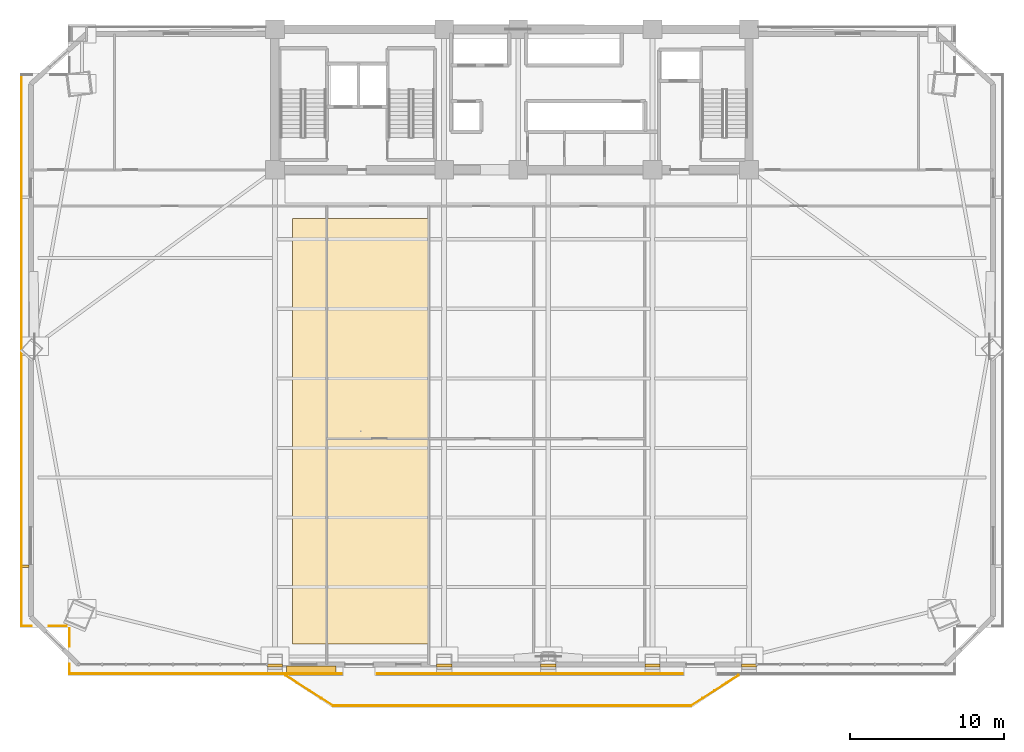
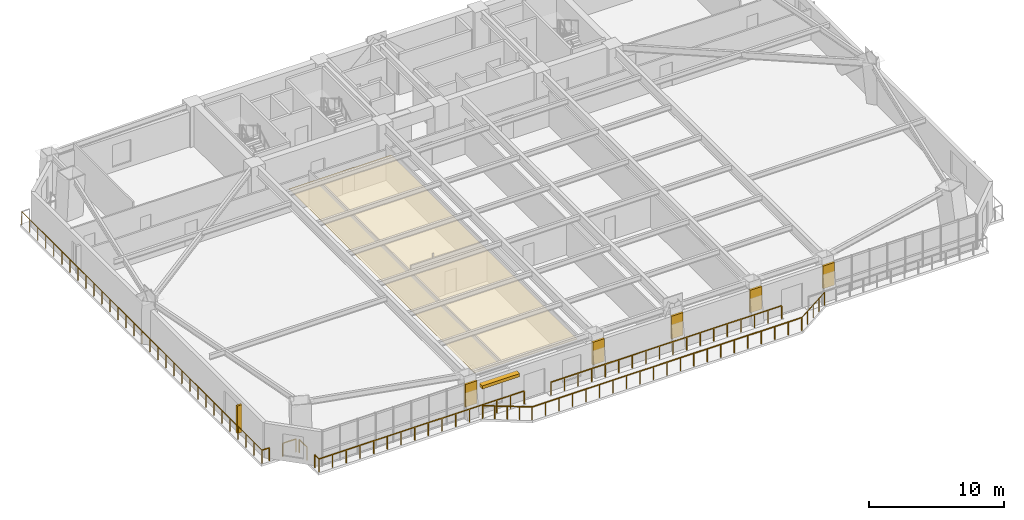
# One storey, part 12 of 16: 10 railings, 6 coverings, 2 shading devices.
"""IFC4 building model written with IfcOpenShell, lengths in metres."""

from ifc_helpers import new_model, si_unit, direction, frame, origin, origin_2d, place, context, subcontext, project, spatial, polyline, rectangle, outline, extrude, source, transform, mapped, material, layer, layer_set, type_object, element, save


model = new_model("IFC4")

# Units and contexts
model_context = context("Model", 3, precision=1e-05, world=origin(), true_north=direction((0.0, 1.0)))
body_context = subcontext(model_context, "Body", "Model", "MODEL_VIEW")
ifc_project = project(units=[si_unit("LENGTHUNIT", "METRE"), si_unit("AREAUNIT", "SQUARE_METRE"), si_unit("VOLUMEUNIT", "CUBIC_METRE"), si_unit("PLANEANGLEUNIT", "RADIAN"), si_unit("MASSUNIT", "GRAM", prefix="KILO")], contexts=[model_context])

# Site, building, storey
site_placement = place(None, origin())
site = spatial("IfcSite", under=ifc_project, at=site_placement, CompositionType="ELEMENT")
building_placement = place(site_placement, origin())
building = spatial("IfcBuilding", under=site, at=building_placement, Name="Giltprow Tower", CompositionType="ELEMENT")
storey_placement = place(building_placement, frame((0.0, 0.0, 83.5)))
storey = spatial("IfcBuildingStorey", under=building, at=storey_placement, Name="L20", CompositionType="ELEMENT", Elevation=83.5)

# Coverings
ifc_material_1 = material(Name="Acoustic mineral fibre", Category="gypsum")
ifc_layer_1 = layer(ifc_material_1, 0.030029296875, Name="Acoustic mineral fibre")
ifc_layer_set_1 = layer_set([ifc_layer_1], Name="Acoustic mineral fibre")
covering_type_1 = type_object("IfcCoveringType", Name="COV-CLG-ACOUSTIC", PredefinedType="CEILING", material=ifc_layer_set_1)
covering_1_placement = place(storey_placement, frame((0.0, 0.0, 2.719970703125)))
element("IfcCovering", 1, at=covering_1_placement, inside=storey, type_object=covering_type_1, Name="L20 Office Acoustic Ceiling", PredefinedType="CEILING", context=body_context, shape_type="SweptSolid", body=[
    extrude(outline(polyline([(21.0, 6.736083984375), (29.800048828125, 6.736083984375), (29.800048828125, 34.300048828125), (21.0, 34.300048828125), (21.0, 6.736083984375)])), origin(), (0.0, 0.0, 1.0), 0.030029296875),
])
ifc_material_2 = material(Name="Anodized bronze", Category="metal")
ifc_layer_2 = layer(ifc_material_2, 0.0400390625, Name="Anodized bronze")
ifc_layer_set_2 = layer_set([ifc_layer_2], Name="Anodized bronze")
covering_type_2 = type_object("IfcCoveringType", Name="COV-SOFFIT-BRONZE", PredefinedType="CLADDING", material=ifc_layer_set_2)
covering_2_placement = place(storey_placement, frame((0.0, 0.0, 1.10009765625)))
element("IfcCovering", 2, at=covering_2_placement, inside=storey, type_object=covering_type_2, Name="L20 Setback Pier Closure Cladding S-1", PredefinedType="CLADDING", context=body_context, shape_type="SweptSolid", body=[
    extrude(outline(polyline([(19.35009765625, 5.2490234375), (20.35009765625, 5.2490234375), (20.35009765625, 5.428955078125), (19.35009765625, 5.428955078125), (19.35009765625, 5.2490234375)])), origin(), (0.0, 0.0, 1.0), 2.059814453125),
])
covering_3_placement = place(storey_placement, frame((0.0, 0.0, 1.10009765625)))
element("IfcCovering", 3, at=covering_3_placement, inside=storey, type_object=covering_type_2, Name="L20 Setback Pier Closure Cladding S-2", PredefinedType="CLADDING", context=body_context, shape_type="SweptSolid", body=[
    extrude(outline(polyline([(30.300048828125, 5.2490234375), (31.300048828125, 5.2490234375), (31.300048828125, 5.428955078125), (30.300048828125, 5.428955078125), (30.300048828125, 5.2490234375)])), origin(), (0.0, 0.0, 1.0), 2.059814453125),
])
covering_4_placement = place(storey_placement, frame((0.0, 0.0, 1.10009765625)))
element("IfcCovering", 4, at=covering_4_placement, inside=storey, type_object=covering_type_2, Name="L20 Setback Pier Closure Cladding S-3", PredefinedType="CLADDING", context=body_context, shape_type="SweptSolid", body=[
    extrude(outline(polyline([(37.050048828125, 5.2490234375), (38.050048828125, 5.2490234375), (38.050048828125, 5.428955078125), (37.050048828125, 5.428955078125), (37.050048828125, 5.2490234375)])), origin(), (0.0, 0.0, 1.0), 2.059814453125),
])
covering_5_placement = place(storey_placement, frame((0.0, 0.0, 1.10009765625)))
element("IfcCovering", 5, at=covering_5_placement, inside=storey, type_object=covering_type_2, Name="L20 Setback Pier Closure Cladding S-4", PredefinedType="CLADDING", context=body_context, shape_type="SweptSolid", body=[
    extrude(outline(polyline([(43.800048828125, 5.2490234375), (44.800048828125, 5.2490234375), (44.800048828125, 5.428955078125), (43.800048828125, 5.428955078125), (43.800048828125, 5.2490234375)])), origin(), (0.0, 0.0, 1.0), 2.059814453125),
])
covering_6_placement = place(storey_placement, frame((0.0, 0.0, 1.10009765625)))
element("IfcCovering", 6, at=covering_6_placement, inside=storey, type_object=covering_type_2, Name="L20 Setback Pier Closure Cladding S-5", PredefinedType="CLADDING", context=body_context, shape_type="SweptSolid", body=[
    extrude(outline(polyline([(50.050048828125, 5.2490234375), (51.050048828125, 5.2490234375), (51.050048828125, 5.428955078125), (50.050048828125, 5.428955078125), (50.050048828125, 5.2490234375)])), origin(), (0.0, 0.0, 1.0), 2.059814453125),
])

# Railings
railing_type = type_object("IfcRailingType", Name="RAIL-BALC-GUARD-1200", PredefinedType="BALUSTRADE", material=ifc_material_2)
railing_1_placement = place(storey_placement, frame((20.52001953125, 4.708984375, 0.0)))
element("IfcRailing", 7, at=railing_1_placement, inside=storey, type_object=railing_type, Name="L20 Waterfront Balcony Balustrade Seg 1", PredefinedType="BALUSTRADE", context=body_context, shape_type="SweptSolid", body=[
    extrude(rectangle(XDim=0.048095703125, YDim=0.048095703125, at=origin_2d()), frame((0.0, 0.0, 1.17578125), z_axis=(0.84277487735, -0.538266203757, 0.0), x_axis=(0.538266203757, 0.84277487735, 0.0)), (0.0, 0.0, 1.0), 3.678466796875),
    extrude(rectangle(XDim=0.0419921875, YDim=0.0419921875, at=origin_2d()), origin(), (0.0, 0.0, 1.0), 1.15185546875),
    extrude(rectangle(XDim=0.0419921875, YDim=0.0419921875, at=origin_2d()), frame((0.77490234375, -0.4951171875, 0.0)), (0.0, 0.0, 1.0), 1.15185546875),
    extrude(rectangle(XDim=0.0419921875, YDim=0.0419921875, at=origin_2d()), frame((1.550048828125, -0.989990234375, 0.0)), (0.0, 0.0, 1.0), 1.15185546875),
    extrude(rectangle(XDim=0.0419921875, YDim=0.0419921875, at=origin_2d()), frame((2.3251953125, -1.48486328125, 0.0)), (0.0, 0.0, 1.0), 1.15185546875),
    extrude(rectangle(XDim=0.0419921875, YDim=0.0419921875, at=origin_2d()), frame((3.10009765625, -1.97998046875, 0.0)), (0.0, 0.0, 1.0), 1.15185546875),
])
railing_2_placement = place(storey_placement, frame((23.6201171875, 2.72900390625, 0.0)))
element("IfcRailing", 8, at=railing_2_placement, inside=storey, type_object=railing_type, Name="L20 Waterfront Balcony Balustrade Seg 2", PredefinedType="BALUSTRADE", context=body_context, shape_type="SweptSolid", body=[
    extrude(rectangle(XDim=0.048095703125, YDim=0.048095703125, at=origin_2d()), frame((0.0, 0.0, 1.17578125), z_axis=(1.0, 0.0, 0.0), x_axis=(0.0, 1.0, 0.0)), (0.0, 0.0, 1.0), 23.159912109375),
    extrude(rectangle(XDim=0.0419921875, YDim=0.0419921875, at=origin_2d()), origin(), (0.0, 0.0, 1.0), 1.15185546875),
    extrude(rectangle(XDim=0.0419921875, YDim=0.0419921875, at=origin_2d()), frame((1.157958984375, 0.0, 0.0)), (0.0, 0.0, 1.0), 1.15185546875),
    extrude(rectangle(XDim=0.0419921875, YDim=0.0419921875, at=origin_2d()), frame((2.31591796875, 0.0, 0.0)), (0.0, 0.0, 1.0), 1.15185546875),
    extrude(rectangle(XDim=0.0419921875, YDim=0.0419921875, at=origin_2d()), frame((3.473876953125, 0.0, 0.0)), (0.0, 0.0, 1.0), 1.15185546875),
    extrude(rectangle(XDim=0.0419921875, YDim=0.0419921875, at=origin_2d()), frame((4.632080078125, 0.0, 0.0)), (0.0, 0.0, 1.0), 1.15185546875),
    extrude(rectangle(XDim=0.0419921875, YDim=0.0419921875, at=origin_2d()), frame((5.7900390625, 0.0, 0.0)), (0.0, 0.0, 1.0), 1.15185546875),
    extrude(rectangle(XDim=0.0419921875, YDim=0.0419921875, at=origin_2d()), frame((6.947998046875, 0.0, 0.0)), (0.0, 0.0, 1.0), 1.15185546875),
    extrude(rectangle(XDim=0.0419921875, YDim=0.0419921875, at=origin_2d()), frame((8.10595703125, 0.0, 0.0)), (0.0, 0.0, 1.0), 1.15185546875),
    extrude(rectangle(XDim=0.0419921875, YDim=0.0419921875, at=origin_2d()), frame((9.263916015625, 0.0, 0.0)), (0.0, 0.0, 1.0), 1.15185546875),
    extrude(rectangle(XDim=0.0419921875, YDim=0.0419921875, at=origin_2d()), frame((10.421875, 0.0, 0.0)), (0.0, 0.0, 1.0), 1.15185546875),
    extrude(rectangle(XDim=0.0419921875, YDim=0.0419921875, at=origin_2d()), frame((11.580078125, 0.0, 0.0)), (0.0, 0.0, 1.0), 1.15185546875),
    extrude(rectangle(XDim=0.0419921875, YDim=0.0419921875, at=origin_2d()), frame((12.738037109375, 0.0, 0.0)), (0.0, 0.0, 1.0), 1.15185546875),
    extrude(rectangle(XDim=0.0419921875, YDim=0.0419921875, at=origin_2d()), frame((13.89599609375, 0.0, 0.0)), (0.0, 0.0, 1.0), 1.15185546875),
    extrude(rectangle(XDim=0.0419921875, YDim=0.0419921875, at=origin_2d()), frame((15.053955078125, 0.0, 0.0)), (0.0, 0.0, 1.0), 1.15185546875),
    extrude(rectangle(XDim=0.0419921875, YDim=0.0419921875, at=origin_2d()), frame((16.2119140625, 0.0, 0.0)), (0.0, 0.0, 1.0), 1.15185546875),
    extrude(rectangle(XDim=0.0419921875, YDim=0.0419921875, at=origin_2d()), frame((17.369873046875, 0.0, 0.0)), (0.0, 0.0, 1.0), 1.15185546875),
    extrude(rectangle(XDim=0.0419921875, YDim=0.0419921875, at=origin_2d()), frame((18.52783203125, 0.0, 0.0)), (0.0, 0.0, 1.0), 1.15185546875),
    extrude(rectangle(XDim=0.0419921875, YDim=0.0419921875, at=origin_2d()), frame((19.68603515625, 0.0, 0.0)), (0.0, 0.0, 1.0), 1.15185546875),
    extrude(rectangle(XDim=0.0419921875, YDim=0.0419921875, at=origin_2d()), frame((20.843994140625, 0.0, 0.0)), (0.0, 0.0, 1.0), 1.15185546875),
    extrude(rectangle(XDim=0.0419921875, YDim=0.0419921875, at=origin_2d()), frame((22.001953125, 0.0, 0.0)), (0.0, 0.0, 1.0), 1.15185546875),
    extrude(rectangle(XDim=0.0419921875, YDim=0.0419921875, at=origin_2d()), frame((23.159912109375, 0.0, 0.0)), (0.0, 0.0, 1.0), 1.15185546875),
])
railing_3_placement = place(storey_placement, frame((46.780029296875, 2.72900390625, 0.0)))
element("IfcRailing", 9, at=railing_3_placement, inside=storey, type_object=railing_type, Name="L20 Waterfront Balcony Balustrade Seg 3", PredefinedType="BALUSTRADE", context=body_context, shape_type="SweptSolid", body=[
    extrude(rectangle(XDim=0.048095703125, YDim=0.048095703125, at=origin_2d()), frame((0.0, 0.0, 1.17578125), z_axis=(0.842755646126, 0.538296313309, 0.0), x_axis=(-0.538296313309, 0.842755646126, 0.0)), (0.0, 0.0, 1.0), 3.67822265625),
    extrude(rectangle(XDim=0.0419921875, YDim=0.0419921875, at=origin_2d()), origin(), (0.0, 0.0, 1.0), 1.15185546875),
    extrude(rectangle(XDim=0.0419921875, YDim=0.0419921875, at=origin_2d()), frame((0.77490234375, 0.4951171875, 0.0)), (0.0, 0.0, 1.0), 1.15185546875),
    extrude(rectangle(XDim=0.0419921875, YDim=0.0419921875, at=origin_2d()), frame((1.5498046875, 0.989990234375, 0.0)), (0.0, 0.0, 1.0), 1.15185546875),
    extrude(rectangle(XDim=0.0419921875, YDim=0.0419921875, at=origin_2d()), frame((2.324951171875, 1.48486328125, 0.0)), (0.0, 0.0, 1.0), 1.15185546875),
    extrude(rectangle(XDim=0.0419921875, YDim=0.0419921875, at=origin_2d()), frame((3.099853515625, 1.97998046875, 0.0)), (0.0, 0.0, 1.0), 1.15185546875),
])
railing_4_placement = place(storey_placement, frame((6.535888671875, 4.80908203125, 0.0)))
element("IfcRailing", 10, at=railing_4_placement, inside=storey, type_object=railing_type, Name="L20 Corner Apron Edge Balustrade 1", PredefinedType="BALUSTRADE", context=body_context, shape_type="SweptSolid", body=[
    extrude(rectangle(XDim=0.048095703125, YDim=0.048095703125, at=origin_2d()), frame((0.0, 0.0, 1.17578125), z_axis=(0.0, 1.0, 0.0), x_axis=(-1.0, 0.0, 0.0)), (0.0, 0.0, 1.0), 0.619873046875),
    extrude(rectangle(XDim=0.0419921875, YDim=0.0419921875, at=origin_2d()), origin(), (0.0, 0.0, 1.0), 1.15185546875),
    extrude(rectangle(XDim=0.0419921875, YDim=0.0419921875, at=origin_2d()), frame((0.0, 0.619873046875, 0.0)), (0.0, 0.0, 1.0), 1.15185546875),
])
railing_5_placement = place(storey_placement, frame((6.535888671875, 6.589111328125, 0.0)))
element("IfcRailing", 11, at=railing_5_placement, inside=storey, type_object=railing_type, Name="L20 Corner Apron Edge Balustrade 2", PredefinedType="BALUSTRADE", context=body_context, shape_type="SweptSolid", body=[
    extrude(rectangle(XDim=0.048095703125, YDim=0.048095703125, at=origin_2d()), frame((0.0, 0.0, 1.17578125), z_axis=(0.0, 1.0, 0.0), x_axis=(-1.0, 0.0, 0.0)), (0.0, 0.0, 1.0), 1.130859375),
    extrude(rectangle(XDim=0.0419921875, YDim=0.0419921875, at=origin_2d()), origin(), (0.0, 0.0, 1.0), 1.15185546875),
    extrude(rectangle(XDim=0.0419921875, YDim=0.0419921875, at=origin_2d()), frame((0.0, 1.130859375, 0.0)), (0.0, 0.0, 1.0), 1.15185546875),
])
railing_6_placement = place(storey_placement, frame((6.35107421875, 7.905029296875, 0.0)))
element("IfcRailing", 12, at=railing_6_placement, inside=storey, type_object=railing_type, Name="L20 Corner Apron Edge Balustrade 3", PredefinedType="BALUSTRADE", context=body_context, shape_type="SweptSolid", body=[
    extrude(rectangle(XDim=0.048095703125, YDim=0.048095703125, at=origin_2d()), frame((0.0, 0.0, 1.17578125), z_axis=(-1.0, 0.0, 0.0), x_axis=(0.0, -1.0, 0.0)), (0.0, 0.0, 1.0), 1.131103515625),
    extrude(rectangle(XDim=0.0419921875, YDim=0.0419921875, at=origin_2d()), origin(), (0.0, 0.0, 1.0), 1.15185546875),
    extrude(rectangle(XDim=0.0419921875, YDim=0.0419921875, at=origin_2d()), frame((-1.131103515625, 0.0, 0.0)), (0.0, 0.0, 1.0), 1.15185546875),
])
railing_7_placement = place(storey_placement, frame((4.06005859375, 7.905029296875, 0.0)))
element("IfcRailing", 13, at=railing_7_placement, inside=storey, type_object=railing_type, Name="L20 Corner Apron Edge Balustrade 4", PredefinedType="BALUSTRADE", context=body_context, shape_type="SweptSolid", body=[
    extrude(rectangle(XDim=0.048095703125, YDim=0.048095703125, at=origin_2d()), frame((0.0, 0.0, 1.17578125), z_axis=(-1.0, 0.0, 0.0), x_axis=(0.0, -1.0, 0.0)), (0.0, 0.0, 1.0), 0.6201171875),
    extrude(rectangle(XDim=0.0419921875, YDim=0.0419921875, at=origin_2d()), origin(), (0.0, 0.0, 1.0), 1.15185546875),
    extrude(rectangle(XDim=0.0419921875, YDim=0.0419921875, at=origin_2d()), frame((-0.6201171875, 0.0, 0.0)), (0.0, 0.0, 1.0), 1.15185546875),
])
railing_8_placement = place(storey_placement, frame((3.43994140625, 7.905029296875, 0.0)))
element("IfcRailing", 14, at=railing_8_placement, inside=storey, type_object=railing_type, Name="L20 Corner Apron Edge Balustrade 5", PredefinedType="BALUSTRADE", context=body_context, shape_type="SweptSolid", body=[
    extrude(rectangle(XDim=0.048095703125, YDim=0.048095703125, at=origin_2d()), frame((0.0, 0.0, 1.17578125), z_axis=(0.0, 1.0, 0.0), x_axis=(-1.0, 0.0, 0.0)), (0.0, 0.0, 1.0), 35.698974609375),
    extrude(rectangle(XDim=0.0419921875, YDim=0.0419921875, at=origin_2d()), origin(), (0.0, 0.0, 1.0), 1.15185546875),
    extrude(rectangle(XDim=0.0419921875, YDim=0.0419921875, at=origin_2d()), frame((0.0, 1.18994140625, 0.0)), (0.0, 0.0, 1.0), 1.15185546875),
    extrude(rectangle(XDim=0.0419921875, YDim=0.0419921875, at=origin_2d()), frame((0.0, 2.3798828125, 0.0)), (0.0, 0.0, 1.0), 1.15185546875),
    extrude(rectangle(XDim=0.0419921875, YDim=0.0419921875, at=origin_2d()), frame((0.0, 3.56982421875, 0.0)), (0.0, 0.0, 1.0), 1.15185546875),
    extrude(rectangle(XDim=0.0419921875, YDim=0.0419921875, at=origin_2d()), frame((0.0, 4.759765625, 0.0)), (0.0, 0.0, 1.0), 1.15185546875),
    extrude(rectangle(XDim=0.0419921875, YDim=0.0419921875, at=origin_2d()), frame((0.0, 5.94970703125, 0.0)), (0.0, 0.0, 1.0), 1.15185546875),
    extrude(rectangle(XDim=0.0419921875, YDim=0.0419921875, at=origin_2d()), frame((0.0, 7.139892578125, 0.0)), (0.0, 0.0, 1.0), 1.15185546875),
    extrude(rectangle(XDim=0.0419921875, YDim=0.0419921875, at=origin_2d()), frame((0.0, 8.329833984375, 0.0)), (0.0, 0.0, 1.0), 1.15185546875),
    extrude(rectangle(XDim=0.0419921875, YDim=0.0419921875, at=origin_2d()), frame((0.0, 9.519775390625, 0.0)), (0.0, 0.0, 1.0), 1.15185546875),
    extrude(rectangle(XDim=0.0419921875, YDim=0.0419921875, at=origin_2d()), frame((0.0, 10.709716796875, 0.0)), (0.0, 0.0, 1.0), 1.15185546875),
    extrude(rectangle(XDim=0.0419921875, YDim=0.0419921875, at=origin_2d()), frame((0.0, 11.899658203125, 0.0)), (0.0, 0.0, 1.0), 1.15185546875),
    extrude(rectangle(XDim=0.0419921875, YDim=0.0419921875, at=origin_2d()), frame((0.0, 13.089599609375, 0.0)), (0.0, 0.0, 1.0), 1.15185546875),
    extrude(rectangle(XDim=0.0419921875, YDim=0.0419921875, at=origin_2d()), frame((0.0, 14.279541015625, 0.0)), (0.0, 0.0, 1.0), 1.15185546875),
    extrude(rectangle(XDim=0.0419921875, YDim=0.0419921875, at=origin_2d()), frame((0.0, 15.469482421875, 0.0)), (0.0, 0.0, 1.0), 1.15185546875),
    extrude(rectangle(XDim=0.0419921875, YDim=0.0419921875, at=origin_2d()), frame((0.0, 16.659423828125, 0.0)), (0.0, 0.0, 1.0), 1.15185546875),
    extrude(rectangle(XDim=0.0419921875, YDim=0.0419921875, at=origin_2d()), frame((0.0, 17.849609375, 0.0)), (0.0, 0.0, 1.0), 1.15185546875),
    extrude(rectangle(XDim=0.0419921875, YDim=0.0419921875, at=origin_2d()), frame((0.0, 19.03955078125, 0.0)), (0.0, 0.0, 1.0), 1.15185546875),
    extrude(rectangle(XDim=0.0419921875, YDim=0.0419921875, at=origin_2d()), frame((0.0, 20.2294921875, 0.0)), (0.0, 0.0, 1.0), 1.15185546875),
    extrude(rectangle(XDim=0.0419921875, YDim=0.0419921875, at=origin_2d()), frame((0.0, 21.41943359375, 0.0)), (0.0, 0.0, 1.0), 1.15185546875),
    extrude(rectangle(XDim=0.0419921875, YDim=0.0419921875, at=origin_2d()), frame((0.0, 22.609375, 0.0)), (0.0, 0.0, 1.0), 1.15185546875),
    extrude(rectangle(XDim=0.0419921875, YDim=0.0419921875, at=origin_2d()), frame((0.0, 23.79931640625, 0.0)), (0.0, 0.0, 1.0), 1.15185546875),
    extrude(rectangle(XDim=0.0419921875, YDim=0.0419921875, at=origin_2d()), frame((0.0, 24.9892578125, 0.0)), (0.0, 0.0, 1.0), 1.15185546875),
    extrude(rectangle(XDim=0.0419921875, YDim=0.0419921875, at=origin_2d()), frame((0.0, 26.17919921875, 0.0)), (0.0, 0.0, 1.0), 1.15185546875),
    extrude(rectangle(XDim=0.0419921875, YDim=0.0419921875, at=origin_2d()), frame((0.0, 27.369140625, 0.0)), (0.0, 0.0, 1.0), 1.15185546875),
    extrude(rectangle(XDim=0.0419921875, YDim=0.0419921875, at=origin_2d()), frame((0.0, 28.55908203125, 0.0)), (0.0, 0.0, 1.0), 1.15185546875),
    extrude(rectangle(XDim=0.0419921875, YDim=0.0419921875, at=origin_2d()), frame((0.0, 29.7490234375, 0.0)), (0.0, 0.0, 1.0), 1.15185546875),
    extrude(rectangle(XDim=0.0419921875, YDim=0.0419921875, at=origin_2d()), frame((0.0, 30.939208984375, 0.0)), (0.0, 0.0, 1.0), 1.15185546875),
    extrude(rectangle(XDim=0.0419921875, YDim=0.0419921875, at=origin_2d()), frame((0.0, 32.129150390625, 0.0)), (0.0, 0.0, 1.0), 1.15185546875),
    extrude(rectangle(XDim=0.0419921875, YDim=0.0419921875, at=origin_2d()), frame((0.0, 33.319091796875, 0.0)), (0.0, 0.0, 1.0), 1.15185546875),
    extrude(rectangle(XDim=0.0419921875, YDim=0.0419921875, at=origin_2d()), frame((0.0, 34.509033203125, 0.0)), (0.0, 0.0, 1.0), 1.15185546875),
    extrude(rectangle(XDim=0.0419921875, YDim=0.0419921875, at=origin_2d()), frame((0.0, 35.698974609375, 0.0)), (0.0, 0.0, 1.0), 1.15185546875),
])
railing_9_placement = place(storey_placement, frame((46.25, 4.80908203125, 0.0)))
element("IfcRailing", 15, at=railing_9_placement, inside=storey, type_object=railing_type, Name="L20 Corner Apron Edge Balustrade 22", PredefinedType="BALUSTRADE", context=body_context, shape_type="SweptSolid", body=[
    extrude(rectangle(XDim=0.048095703125, YDim=0.048095703125, at=origin_2d()), frame((0.0, 0.0, 1.17578125), z_axis=(-1.0, 0.0, 0.0), x_axis=(0.0, -1.0, 0.0)), (0.0, 0.0, 1.0), 19.800048828125),
    extrude(rectangle(XDim=0.0419921875, YDim=0.0419921875, at=origin_2d()), origin(), (0.0, 0.0, 1.0), 1.15185546875),
    extrude(rectangle(XDim=0.0419921875, YDim=0.0419921875, at=origin_2d()), frame((-1.164794921875, 0.0, 0.0)), (0.0, 0.0, 1.0), 1.15185546875),
    extrude(rectangle(XDim=0.0419921875, YDim=0.0419921875, at=origin_2d()), frame((-2.329345703125, 0.0, 0.0)), (0.0, 0.0, 1.0), 1.15185546875),
    extrude(rectangle(XDim=0.0419921875, YDim=0.0419921875, at=origin_2d()), frame((-3.494140625, 0.0, 0.0)), (0.0, 0.0, 1.0), 1.15185546875),
    extrude(rectangle(XDim=0.0419921875, YDim=0.0419921875, at=origin_2d()), frame((-4.658935546875, 0.0, 0.0)), (0.0, 0.0, 1.0), 1.15185546875),
    extrude(rectangle(XDim=0.0419921875, YDim=0.0419921875, at=origin_2d()), frame((-5.823486328125, 0.0, 0.0)), (0.0, 0.0, 1.0), 1.15185546875),
    extrude(rectangle(XDim=0.0419921875, YDim=0.0419921875, at=origin_2d()), frame((-6.98828125, 0.0, 0.0)), (0.0, 0.0, 1.0), 1.15185546875),
    extrude(rectangle(XDim=0.0419921875, YDim=0.0419921875, at=origin_2d()), frame((-8.153076171875, 0.0, 0.0)), (0.0, 0.0, 1.0), 1.15185546875),
    extrude(rectangle(XDim=0.0419921875, YDim=0.0419921875, at=origin_2d()), frame((-9.317626953125, 0.0, 0.0)), (0.0, 0.0, 1.0), 1.15185546875),
    extrude(rectangle(XDim=0.0419921875, YDim=0.0419921875, at=origin_2d()), frame((-10.482421875, 0.0, 0.0)), (0.0, 0.0, 1.0), 1.15185546875),
    extrude(rectangle(XDim=0.0419921875, YDim=0.0419921875, at=origin_2d()), frame((-11.64697265625, 0.0, 0.0)), (0.0, 0.0, 1.0), 1.15185546875),
    extrude(rectangle(XDim=0.0419921875, YDim=0.0419921875, at=origin_2d()), frame((-12.811767578125, 0.0, 0.0)), (0.0, 0.0, 1.0), 1.15185546875),
    extrude(rectangle(XDim=0.0419921875, YDim=0.0419921875, at=origin_2d()), frame((-13.9765625, 0.0, 0.0)), (0.0, 0.0, 1.0), 1.15185546875),
    extrude(rectangle(XDim=0.0419921875, YDim=0.0419921875, at=origin_2d()), frame((-15.14111328125, 0.0, 0.0)), (0.0, 0.0, 1.0), 1.15185546875),
    extrude(rectangle(XDim=0.0419921875, YDim=0.0419921875, at=origin_2d()), frame((-16.305908203125, 0.0, 0.0)), (0.0, 0.0, 1.0), 1.15185546875),
    extrude(rectangle(XDim=0.0419921875, YDim=0.0419921875, at=origin_2d()), frame((-17.470703125, 0.0, 0.0)), (0.0, 0.0, 1.0), 1.15185546875),
    extrude(rectangle(XDim=0.0419921875, YDim=0.0419921875, at=origin_2d()), frame((-18.63525390625, 0.0, 0.0)), (0.0, 0.0, 1.0), 1.15185546875),
    extrude(rectangle(XDim=0.0419921875, YDim=0.0419921875, at=origin_2d()), frame((-19.800048828125, 0.0, 0.0)), (0.0, 0.0, 1.0), 1.15185546875),
])
railing_10_placement = place(storey_placement, frame((24.14990234375, 4.80908203125, 0.0)))
element("IfcRailing", 16, at=railing_10_placement, inside=storey, type_object=railing_type, Name="L20 Corner Apron Edge Balustrade 23", PredefinedType="BALUSTRADE", context=body_context, shape_type="SweptSolid", body=[
    extrude(rectangle(XDim=0.048095703125, YDim=0.048095703125, at=origin_2d()), frame((0.0, 0.0, 1.17578125), z_axis=(-1.0, 0.0, 0.0), x_axis=(0.0, -1.0, 0.0)), (0.0, 0.0, 1.0), 17.614013671875),
    extrude(rectangle(XDim=0.0419921875, YDim=0.0419921875, at=origin_2d()), origin(), (0.0, 0.0, 1.0), 1.15185546875),
    extrude(rectangle(XDim=0.0419921875, YDim=0.0419921875, at=origin_2d()), frame((-1.17431640625, 0.0, 0.0)), (0.0, 0.0, 1.0), 1.15185546875),
    extrude(rectangle(XDim=0.0419921875, YDim=0.0419921875, at=origin_2d()), frame((-2.3486328125, 0.0, 0.0)), (0.0, 0.0, 1.0), 1.15185546875),
    extrude(rectangle(XDim=0.0419921875, YDim=0.0419921875, at=origin_2d()), frame((-3.522705078125, 0.0, 0.0)), (0.0, 0.0, 1.0), 1.15185546875),
    extrude(rectangle(XDim=0.0419921875, YDim=0.0419921875, at=origin_2d()), frame((-4.697021484375, 0.0, 0.0)), (0.0, 0.0, 1.0), 1.15185546875),
    extrude(rectangle(XDim=0.0419921875, YDim=0.0419921875, at=origin_2d()), frame((-5.871337890625, 0.0, 0.0)), (0.0, 0.0, 1.0), 1.15185546875),
    extrude(rectangle(XDim=0.0419921875, YDim=0.0419921875, at=origin_2d()), frame((-7.045654296875, 0.0, 0.0)), (0.0, 0.0, 1.0), 1.15185546875),
    extrude(rectangle(XDim=0.0419921875, YDim=0.0419921875, at=origin_2d()), frame((-8.219970703125, 0.0, 0.0)), (0.0, 0.0, 1.0), 1.15185546875),
    extrude(rectangle(XDim=0.0419921875, YDim=0.0419921875, at=origin_2d()), frame((-9.39404296875, 0.0, 0.0)), (0.0, 0.0, 1.0), 1.15185546875),
    extrude(rectangle(XDim=0.0419921875, YDim=0.0419921875, at=origin_2d()), frame((-10.568359375, 0.0, 0.0)), (0.0, 0.0, 1.0), 1.15185546875),
    extrude(rectangle(XDim=0.0419921875, YDim=0.0419921875, at=origin_2d()), frame((-11.74267578125, 0.0, 0.0)), (0.0, 0.0, 1.0), 1.15185546875),
    extrude(rectangle(XDim=0.0419921875, YDim=0.0419921875, at=origin_2d()), frame((-12.9169921875, 0.0, 0.0)), (0.0, 0.0, 1.0), 1.15185546875),
    extrude(rectangle(XDim=0.0419921875, YDim=0.0419921875, at=origin_2d()), frame((-14.09130859375, 0.0, 0.0)), (0.0, 0.0, 1.0), 1.15185546875),
    extrude(rectangle(XDim=0.0419921875, YDim=0.0419921875, at=origin_2d()), frame((-15.265380859375, 0.0, 0.0)), (0.0, 0.0, 1.0), 1.15185546875),
    extrude(rectangle(XDim=0.0419921875, YDim=0.0419921875, at=origin_2d()), frame((-16.439697265625, 0.0, 0.0)), (0.0, 0.0, 1.0), 1.15185546875),
    extrude(rectangle(XDim=0.0419921875, YDim=0.0419921875, at=origin_2d()), frame((-17.614013671875, 0.0, 0.0)), (0.0, 0.0, 1.0), 1.15185546875),
])

# Shading devices
shading_device_type_1 = type_object("IfcShadingDeviceType", Name="SHD-FIN-420", PredefinedType="USERDEFINED", material=ifc_material_2)
shared_shape_1 = source(origin(), body_context, "Body", "SweptSolid", [
    extrude(rectangle(XDim=0.419921875, YDim=0.159912109375, at=origin_2d()), origin(), (0.0, 0.0, 1.0), 2.5),
])
shading_device_1_placement = place(storey_placement, frame((3.719970703125, 11.780029296875, 0.35009765625), z_axis=(0.0, 0.0, 1.0), x_axis=(1.0, 0.0, 0.0)))
element("IfcShadingDevice", 17, at=shading_device_1_placement, inside=storey, type_object=shading_device_type_1, Name="L20 W Bronze Vertical Fin 1-1", ObjectType="FIN", PredefinedType="USERDEFINED", context=body_context, shape_type="MappedRepresentation", body=[
    mapped(shared_shape_1, transform((0.0, 0.0, 0.0), x_axis=(1.0, 0.0, 0.0), y_axis=(0.0, 1.0, 0.0), z_axis=(0.0, 0.0, 1.0), scale=1.0)),
])
shading_device_type_2 = type_object("IfcShadingDeviceType", Name="SHD-LOUVRE-320", PredefinedType="JALOUSIE", material=ifc_material_2)
shared_shape_2 = source(origin(), body_context, "Body", "SweptSolid", [
    extrude(rectangle(XDim=3.199951171875, YDim=0.449951171875, at=origin_2d()), origin(), (0.0, 0.0, 1.0), 0.280029296875),
])
shading_device_2_placement = place(storey_placement, frame((22.199951171875, 5.089111328125, 2.56005859375), z_axis=(0.0, 0.0, 1.0), x_axis=(1.0, 0.0, 0.0)))
element("IfcShadingDevice", 18, at=shading_device_2_placement, inside=storey, type_object=shading_device_type_2, Name="L20 Bronze Sunshade Louvre S-2", PredefinedType="JALOUSIE", context=body_context, shape_type="MappedRepresentation", body=[
    mapped(shared_shape_2, transform((0.0, 0.0, 0.0), x_axis=(1.0, 0.0, 0.0), y_axis=(0.0, 1.0, 0.0), z_axis=(0.0, 0.0, 1.0), scale=1.0)),
])

save(model, "model.ifc")
